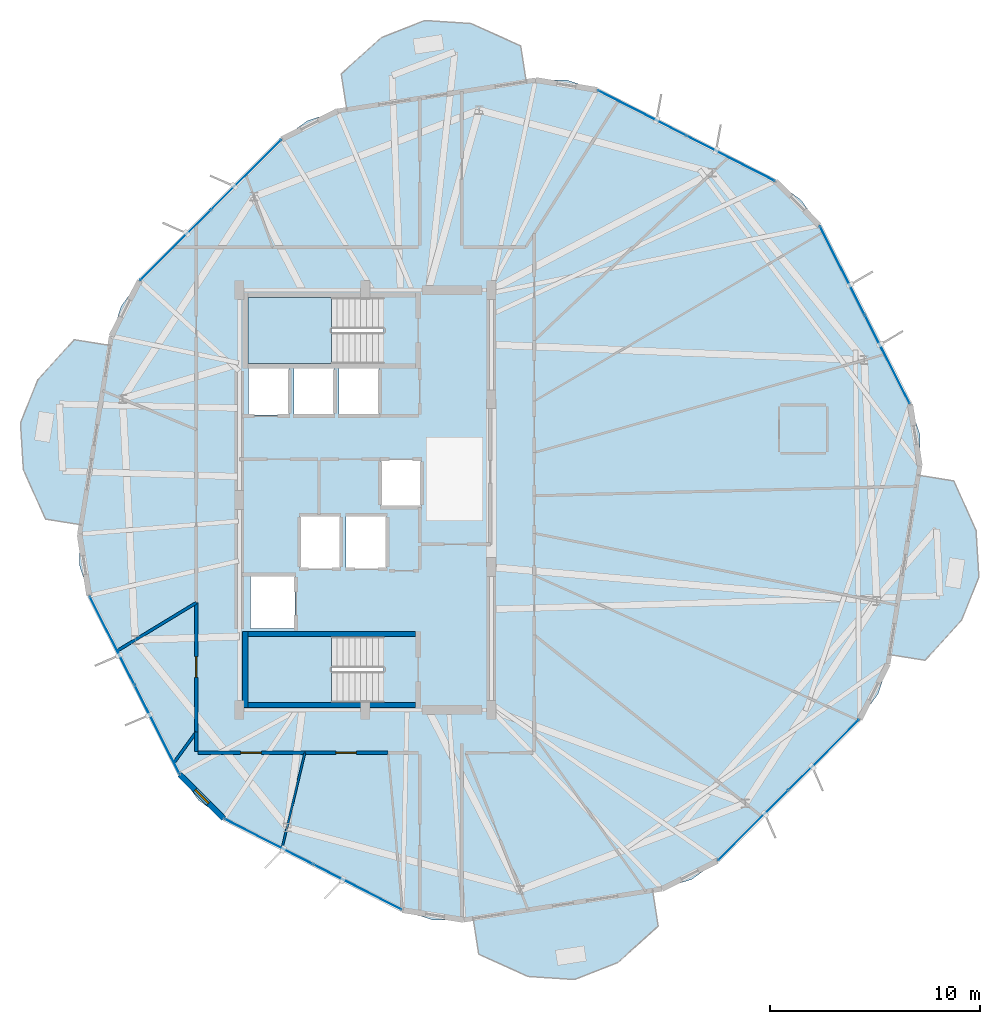
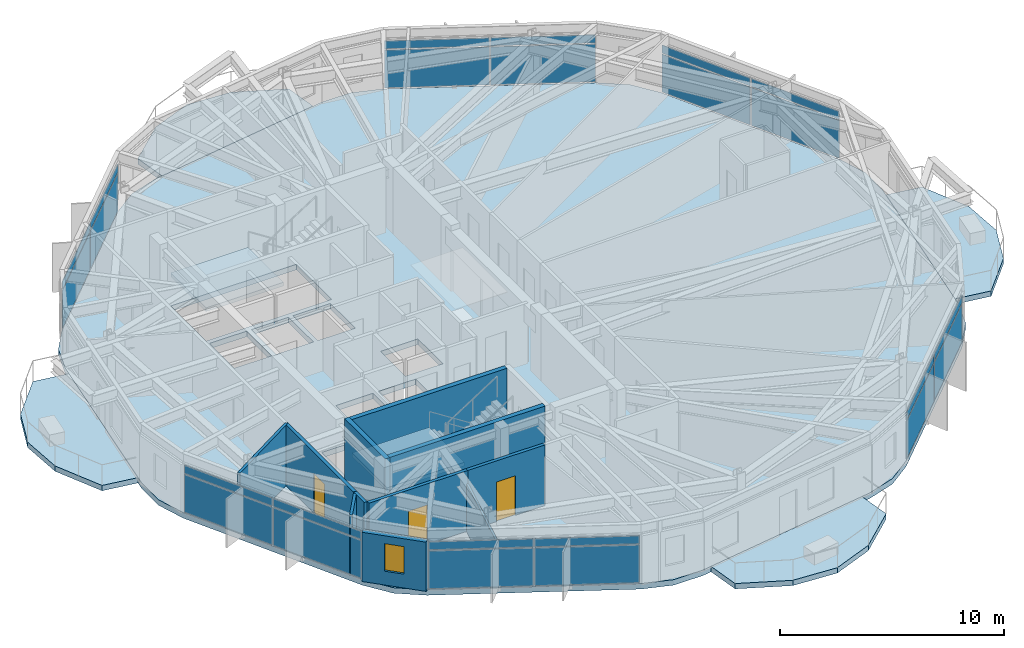
# One storey, part 20 of 27: 24 plates, 11 walls, 7 slabs, 3 doors, 1 window, 4 openings, 8 elements without a shape of their own.
"""IFC4 building model written with IfcOpenShell, lengths in metres."""

from ifc_helpers import new_model, si_unit, direction, frame, frame_2d, origin, origin_2d, place, context, subcontext, project, spatial, polyline, rectangle, outline, extrude, material, layer, layer_set, type_object, element, fill, aggregate, save


model = new_model("IFC4")

# Units and contexts
model_context = context("Model", 3, precision=1e-05, world=origin(), true_north=direction((0.0, 1.0)))
body_context = subcontext(model_context, "Body", "Model", "MODEL_VIEW")
ifc_project = project(units=[si_unit("LENGTHUNIT", "METRE"), si_unit("AREAUNIT", "SQUARE_METRE"), si_unit("VOLUMEUNIT", "CUBIC_METRE"), si_unit("PLANEANGLEUNIT", "RADIAN"), si_unit("MASSUNIT", "GRAM", prefix="KILO")], contexts=[model_context])

# Site, building, storey
site_placement = place(None, origin())
site = spatial("IfcSite", under=ifc_project, at=site_placement, CompositionType="ELEMENT")
building_placement = place(site_placement, origin())
building = spatial("IfcBuilding", under=site, at=building_placement, Name="Soratama Intermodal Tower", CompositionType="ELEMENT")
storey_placement = place(building_placement, frame((0.0, 0.0, 197.800048828125)))
storey = spatial("IfcBuildingStorey", under=building, at=storey_placement, Name="L49", CompositionType="ELEMENT", Elevation=197.800048828125)

# Curtain wall, plates
ifc_material_1 = material(Name="Double-glazed aluminium curtain wall", Category="aluminium")
ifc_layer_1 = layer(ifc_material_1, 0.159912109375)
ifc_layer_set_1 = layer_set([ifc_layer_1], Name="Double-glazed aluminium curtain wall")
curtain_wall_type = type_object("IfcCurtainWallType", Name="CW-SYS-5", PredefinedType="NOTDEFINED", material=ifc_layer_set_1)
curtain_wall_1_placement = place(storey_placement, origin())
curtain_wall_1 = element("IfcCurtainWall", 1, at=curtain_wall_1_placement, inside=storey, type_object=curtain_wall_type, Name="L49 Faceted Curtain Wall F01", PredefinedType="NOTDEFINED")
ifc_material_2 = material(Name="Low-E laminated double glazing", Category="glass")
ifc_layer_2 = layer(ifc_material_2, 0.02001953125)
ifc_layer_set_2 = layer_set([ifc_layer_2], Name="Low-E laminated double glazing")
plate_type = type_object("IfcPlateType", Name="PT-CWP-5", PredefinedType="CURTAIN_PANEL", material=ifc_layer_set_2)
plate_1_placement = place(storey_placement, frame((56.001220703125, 41.27392578125, 0.059814453125), z_axis=(0.0, 0.0, 1.0), x_axis=(-0.890051238283, 0.455860497554, 0.0)))
plate_1 = element("IfcPlate", 2, at=plate_1_placement, type_object=plate_type, Name="CW-5 panel 1.1", PredefinedType="CURTAIN_PANEL", context=body_context, shape_type="SweptSolid", body=[
    extrude(rectangle(XDim=4.686279296875, YDim=0.028076171875, at=origin_2d()), origin(), (0.0, 0.0, 1.0), 2.06005859375),
])
plate_2_placement = place(storey_placement, frame((56.001220703125, 41.27392578125, 2.179931640625), z_axis=(0.0, 0.0, 1.0), x_axis=(-0.890051238283, 0.455860497554, 0.0)))
plate_2 = element("IfcPlate", 3, at=plate_2_placement, type_object=plate_type, Name="CW-5 panel 1.2", PredefinedType="CURTAIN_PANEL", context=body_context, shape_type="SweptSolid", body=[
    extrude(rectangle(XDim=4.686279296875, YDim=0.028076171875, at=origin_2d()), origin(), (0.0, 0.0, 1.0), 0.43896484375),
])
plate_3_placement = place(storey_placement, frame((51.77685546875, 43.4375, 0.059814453125), z_axis=(0.0, 0.0, 1.0), x_axis=(-0.890051238283, 0.455860497554, 0.0)))
plate_3 = element("IfcPlate", 4, at=plate_3_placement, type_object=plate_type, Name="CW-5 panel 2.1", PredefinedType="CURTAIN_PANEL", context=body_context, shape_type="SweptSolid", body=[
    extrude(rectangle(XDim=4.686279296875, YDim=0.028076171875, at=origin_2d()), origin(), (0.0, 0.0, 1.0), 2.06005859375),
])
plate_4_placement = place(storey_placement, frame((51.77685546875, 43.4375, 2.179931640625), z_axis=(0.0, 0.0, 1.0), x_axis=(-0.890051238283, 0.455860497554, 0.0)))
plate_4 = element("IfcPlate", 5, at=plate_4_placement, type_object=plate_type, Name="CW-5 panel 2.2", PredefinedType="CURTAIN_PANEL", context=body_context, shape_type="SweptSolid", body=[
    extrude(rectangle(XDim=4.686279296875, YDim=0.028076171875, at=origin_2d()), origin(), (0.0, 0.0, 1.0), 0.43896484375),
])
aggregate(curtain_wall_1, [plate_1, plate_2, plate_3, plate_4])

curtain_wall_2_placement = place(storey_placement, origin())
curtain_wall_2 = element("IfcCurtainWall", 6, at=curtain_wall_2_placement, inside=storey, type_object=curtain_wall_type, Name="L49 Faceted Curtain Wall F03", PredefinedType="NOTDEFINED")
plate_5_placement = place(storey_placement, frame((32.922119140625, 40.49169921875, 0.059814453125), z_axis=(0.0, 0.0, 1.0), x_axis=(-0.708586555058, -0.705623904067, 0.0)))
plate_5 = element("IfcPlate", 7, at=plate_5_placement, type_object=plate_type, Name="CW-5 panel 1.1", PredefinedType="CURTAIN_PANEL", context=body_context, shape_type="SweptSolid", body=[
    extrude(rectangle(XDim=4.68603515625, YDim=0.028076171875, at=origin_2d()), origin(), (0.0, 0.0, 1.0), 2.06005859375),
])
plate_6_placement = place(storey_placement, frame((32.922119140625, 40.49169921875, 2.179931640625), z_axis=(0.0, 0.0, 1.0), x_axis=(-0.708586555058, -0.705623904067, 0.0)))
plate_6 = element("IfcPlate", 8, at=plate_6_placement, type_object=plate_type, Name="CW-5 panel 1.2", PredefinedType="CURTAIN_PANEL", context=body_context, shape_type="SweptSolid", body=[
    extrude(rectangle(XDim=4.68603515625, YDim=0.028076171875, at=origin_2d()), origin(), (0.0, 0.0, 1.0), 0.43896484375),
])
plate_7_placement = place(storey_placement, frame((29.55908203125, 37.142578125, 0.059814453125), z_axis=(0.0, 0.0, 1.0), x_axis=(-0.708586555058, -0.705623904067, 0.0)))
plate_7 = element("IfcPlate", 9, at=plate_7_placement, type_object=plate_type, Name="CW-5 panel 2.1", PredefinedType="CURTAIN_PANEL", context=body_context, shape_type="SweptSolid", body=[
    extrude(rectangle(XDim=4.68603515625, YDim=0.028076171875, at=origin_2d()), origin(), (0.0, 0.0, 1.0), 2.06005859375),
])
plate_8_placement = place(storey_placement, frame((29.55908203125, 37.142578125, 2.179931640625), z_axis=(0.0, 0.0, 1.0), x_axis=(-0.708586555058, -0.705623904067, 0.0)))
plate_8 = element("IfcPlate", 10, at=plate_8_placement, type_object=plate_type, Name="CW-5 panel 2.2", PredefinedType="CURTAIN_PANEL", context=body_context, shape_type="SweptSolid", body=[
    extrude(rectangle(XDim=4.68603515625, YDim=0.028076171875, at=origin_2d()), origin(), (0.0, 0.0, 1.0), 0.43896484375),
])
aggregate(curtain_wall_2, [plate_5, plate_6, plate_7, plate_8])

curtain_wall_3_placement = place(storey_placement, origin())
curtain_wall_3 = element("IfcCurtainWall", 11, at=curtain_wall_3_placement, inside=storey, type_object=curtain_wall_type, Name="L49 Faceted Curtain Wall F05", PredefinedType="NOTDEFINED")
plate_9_placement = place(storey_placement, frame((26.5341796875, 18.300537109375, 0.059814453125), z_axis=(0.0, 0.0, 1.0), x_axis=(0.452118728027, -0.891957765686, 0.0)))
plate_9 = element("IfcPlate", 12, at=plate_9_placement, type_object=plate_type, Name="CW-5 panel 1.1", PredefinedType="CURTAIN_PANEL", context=body_context, shape_type="SweptSolid", body=[
    extrude(rectangle(XDim=4.686279296875, YDim=0.028076171875, at=origin_2d()), origin(), (0.0, 0.0, 1.0), 2.06005859375),
])
plate_10_placement = place(storey_placement, frame((26.5341796875, 18.300537109375, 2.179931640625), z_axis=(0.0, 0.0, 1.0), x_axis=(0.452118728027, -0.891957765686, 0.0)))
plate_10 = element("IfcPlate", 13, at=plate_10_placement, type_object=plate_type, Name="CW-5 panel 1.2", PredefinedType="CURTAIN_PANEL", context=body_context, shape_type="SweptSolid", body=[
    extrude(rectangle(XDim=4.686279296875, YDim=0.028076171875, at=origin_2d()), origin(), (0.0, 0.0, 1.0), 0.43896484375),
])
plate_11_placement = place(storey_placement, frame((28.68017578125, 14.067138671875, 0.059814453125), z_axis=(0.0, 0.0, 1.0), x_axis=(0.452118728027, -0.891957765686, 0.0)))
plate_11 = element("IfcPlate", 14, at=plate_11_placement, type_object=plate_type, Name="CW-5 panel 2.1", PredefinedType="CURTAIN_PANEL", context=body_context, shape_type="SweptSolid", body=[
    extrude(rectangle(XDim=4.686279296875, YDim=0.028076171875, at=origin_2d()), origin(), (0.0, 0.0, 1.0), 2.06005859375),
])
plate_12_placement = place(storey_placement, frame((28.68017578125, 14.067138671875, 2.179931640625), z_axis=(0.0, 0.0, 1.0), x_axis=(0.452118728027, -0.891957765686, 0.0)))
plate_12 = element("IfcPlate", 15, at=plate_12_placement, type_object=plate_type, Name="CW-5 panel 2.2", PredefinedType="CURTAIN_PANEL", context=body_context, shape_type="SweptSolid", body=[
    extrude(rectangle(XDim=4.686279296875, YDim=0.028076171875, at=origin_2d()), origin(), (0.0, 0.0, 1.0), 0.43896484375),
])
aggregate(curtain_wall_3, [plate_9, plate_10, plate_11, plate_12])

curtain_wall_4_placement = place(storey_placement, origin())
curtain_wall_4 = element("IfcCurtainWall", 16, at=curtain_wall_4_placement, inside=storey, type_object=curtain_wall_type, Name="L49 Faceted Curtain Wall F06", PredefinedType="NOTDEFINED")
plate_13_placement = place(storey_placement, frame((33.998779296875, 8.72607421875, 0.059814453125), z_axis=(0.0, 0.0, 1.0), x_axis=(0.890051238283, -0.455860497554, 0.0)))
plate_13 = element("IfcPlate", 17, at=plate_13_placement, type_object=plate_type, Name="CW-5 panel 1.1", PredefinedType="CURTAIN_PANEL", context=body_context, shape_type="SweptSolid", body=[
    extrude(rectangle(XDim=4.686279296875, YDim=0.028076171875, at=origin_2d()), origin(), (0.0, 0.0, 1.0), 2.06005859375),
])
plate_14_placement = place(storey_placement, frame((33.998779296875, 8.72607421875, 2.179931640625), z_axis=(0.0, 0.0, 1.0), x_axis=(0.890051238283, -0.455860497554, 0.0)))
plate_14 = element("IfcPlate", 18, at=plate_14_placement, type_object=plate_type, Name="CW-5 panel 1.2", PredefinedType="CURTAIN_PANEL", context=body_context, shape_type="SweptSolid", body=[
    extrude(rectangle(XDim=4.686279296875, YDim=0.028076171875, at=origin_2d()), origin(), (0.0, 0.0, 1.0), 0.43896484375),
])
plate_15_placement = place(storey_placement, frame((38.22314453125, 6.5625, 0.059814453125), z_axis=(0.0, 0.0, 1.0), x_axis=(0.890051238283, -0.455860497554, 0.0)))
plate_15 = element("IfcPlate", 19, at=plate_15_placement, type_object=plate_type, Name="CW-5 panel 2.1", PredefinedType="CURTAIN_PANEL", context=body_context, shape_type="SweptSolid", body=[
    extrude(rectangle(XDim=4.686279296875, YDim=0.028076171875, at=origin_2d()), origin(), (0.0, 0.0, 1.0), 2.06005859375),
])
plate_16_placement = place(storey_placement, frame((38.22314453125, 6.5625, 2.179931640625), z_axis=(0.0, 0.0, 1.0), x_axis=(0.890051238283, -0.455860497554, 0.0)))
plate_16 = element("IfcPlate", 20, at=plate_16_placement, type_object=plate_type, Name="CW-5 panel 2.2", PredefinedType="CURTAIN_PANEL", context=body_context, shape_type="SweptSolid", body=[
    extrude(rectangle(XDim=4.686279296875, YDim=0.028076171875, at=origin_2d()), origin(), (0.0, 0.0, 1.0), 0.43896484375),
])
aggregate(curtain_wall_4, [plate_13, plate_14, plate_15, plate_16])

curtain_wall_5_placement = place(storey_placement, origin())
curtain_wall_5 = element("IfcCurtainWall", 21, at=curtain_wall_5_placement, inside=storey, type_object=curtain_wall_type, Name="L49 Faceted Curtain Wall F08", PredefinedType="NOTDEFINED")
plate_17_placement = place(storey_placement, frame((57.077880859375, 9.50830078125, 0.059814453125), z_axis=(0.0, 0.0, 1.0), x_axis=(0.708586555058, 0.705623904067, 0.0)))
plate_17 = element("IfcPlate", 22, at=plate_17_placement, type_object=plate_type, Name="CW-5 panel 1.1", PredefinedType="CURTAIN_PANEL", context=body_context, shape_type="SweptSolid", body=[
    extrude(rectangle(XDim=4.68603515625, YDim=0.028076171875, at=origin_2d()), origin(), (0.0, 0.0, 1.0), 2.06005859375),
])
plate_18_placement = place(storey_placement, frame((57.077880859375, 9.50830078125, 2.179931640625), z_axis=(0.0, 0.0, 1.0), x_axis=(0.708586555058, 0.705623904067, 0.0)))
plate_18 = element("IfcPlate", 23, at=plate_18_placement, type_object=plate_type, Name="CW-5 panel 1.2", PredefinedType="CURTAIN_PANEL", context=body_context, shape_type="SweptSolid", body=[
    extrude(rectangle(XDim=4.68603515625, YDim=0.028076171875, at=origin_2d()), origin(), (0.0, 0.0, 1.0), 0.43896484375),
])
plate_19_placement = place(storey_placement, frame((60.44091796875, 12.857421875, 0.059814453125), z_axis=(0.0, 0.0, 1.0), x_axis=(0.708586555058, 0.705623904067, 0.0)))
plate_19 = element("IfcPlate", 24, at=plate_19_placement, type_object=plate_type, Name="CW-5 panel 2.1", PredefinedType="CURTAIN_PANEL", context=body_context, shape_type="SweptSolid", body=[
    extrude(rectangle(XDim=4.68603515625, YDim=0.028076171875, at=origin_2d()), origin(), (0.0, 0.0, 1.0), 2.06005859375),
])
plate_20_placement = place(storey_placement, frame((60.44091796875, 12.857421875, 2.179931640625), z_axis=(0.0, 0.0, 1.0), x_axis=(0.708586555058, 0.705623904067, 0.0)))
plate_20 = element("IfcPlate", 25, at=plate_20_placement, type_object=plate_type, Name="CW-5 panel 2.2", PredefinedType="CURTAIN_PANEL", context=body_context, shape_type="SweptSolid", body=[
    extrude(rectangle(XDim=4.68603515625, YDim=0.028076171875, at=origin_2d()), origin(), (0.0, 0.0, 1.0), 0.43896484375),
])
aggregate(curtain_wall_5, [plate_17, plate_18, plate_19, plate_20])

curtain_wall_6_placement = place(storey_placement, origin())
curtain_wall_6 = element("IfcCurtainWall", 26, at=curtain_wall_6_placement, inside=storey, type_object=curtain_wall_type, Name="L49 Faceted Curtain Wall F10", PredefinedType="NOTDEFINED")
plate_21_placement = place(storey_placement, frame((63.4658203125, 31.699462890625, 0.059814453125), z_axis=(0.0, 0.0, 1.0), x_axis=(-0.452118728027, 0.891957765686, 0.0)))
plate_21 = element("IfcPlate", 27, at=plate_21_placement, type_object=plate_type, Name="CW-5 panel 1.1", PredefinedType="CURTAIN_PANEL", context=body_context, shape_type="SweptSolid", body=[
    extrude(rectangle(XDim=4.686279296875, YDim=0.028076171875, at=origin_2d()), origin(), (0.0, 0.0, 1.0), 2.06005859375),
])
plate_22_placement = place(storey_placement, frame((63.4658203125, 31.699462890625, 2.179931640625), z_axis=(0.0, 0.0, 1.0), x_axis=(-0.452118728027, 0.891957765686, 0.0)))
plate_22 = element("IfcPlate", 28, at=plate_22_placement, type_object=plate_type, Name="CW-5 panel 1.2", PredefinedType="CURTAIN_PANEL", context=body_context, shape_type="SweptSolid", body=[
    extrude(rectangle(XDim=4.686279296875, YDim=0.028076171875, at=origin_2d()), origin(), (0.0, 0.0, 1.0), 0.43896484375),
])
plate_23_placement = place(storey_placement, frame((61.31982421875, 35.932861328125, 0.059814453125), z_axis=(0.0, 0.0, 1.0), x_axis=(-0.452118728027, 0.891957765686, 0.0)))
plate_23 = element("IfcPlate", 29, at=plate_23_placement, type_object=plate_type, Name="CW-5 panel 2.1", PredefinedType="CURTAIN_PANEL", context=body_context, shape_type="SweptSolid", body=[
    extrude(rectangle(XDim=4.686279296875, YDim=0.028076171875, at=origin_2d()), origin(), (0.0, 0.0, 1.0), 2.06005859375),
])
plate_24_placement = place(storey_placement, frame((61.31982421875, 35.932861328125, 2.179931640625), z_axis=(0.0, 0.0, 1.0), x_axis=(-0.452118728027, 0.891957765686, 0.0)))
plate_24 = element("IfcPlate", 30, at=plate_24_placement, type_object=plate_type, Name="CW-5 panel 2.2", PredefinedType="CURTAIN_PANEL", context=body_context, shape_type="SweptSolid", body=[
    extrude(rectangle(XDim=4.686279296875, YDim=0.028076171875, at=origin_2d()), origin(), (0.0, 0.0, 1.0), 0.43896484375),
])
aggregate(curtain_wall_6, [plate_21, plate_22, plate_23, plate_24])

# Slabs
ifc_material_3 = material(Name="Concrete f'c 42 MPa", Category="concrete")
ifc_layer_3 = layer(ifc_material_3, 0.2900390625)
ifc_layer_set_3 = layer_set([ifc_layer_3], Name="Concrete f'c 42 MPa")
slab_type_1 = type_object("IfcSlabType", Name="SL-EXT-BAL2", PredefinedType="FLOOR", material=ifc_layer_set_3)
slab_1_placement = place(storey_placement, frame((0.0, 0.0, -0.2900390625)))
element("IfcSlab", 31, at=slab_1_placement, inside=storey, type_object=slab_type_1, Name="L49 Planted Balcony East 1", PredefinedType="FLOOR", context=body_context, shape_type="SweptSolid", body=[
    extrude(outline(polyline([(63.5673828125, 17.6376953125), (64.938720703125, 26.180908203125), (66.636962890625, 25.908203125), (67.69140625, 23.548095703125), (67.827392578125, 21.33544921875), (67.005859375, 19.276611328125), (65.265625, 17.364990234375), (63.5673828125, 17.6376953125)])), origin(), (0.0, 0.0, 1.0), 0.2900390625),
])
slab_2_placement = place(storey_placement, frame((0.0, 0.0, -0.2900390625)))
element("IfcSlab", 32, at=slab_2_placement, inside=storey, type_object=slab_type_1, Name="L49 Planted Balcony North 2", PredefinedType="FLOOR", context=body_context, shape_type="SweptSolid", body=[
    extrude(outline(polyline([(46.264404296875, 44.93359375), (37.715576171875, 43.59814453125), (37.4501953125, 45.29736328125), (39.368896484375, 47.029541015625), (41.43115234375, 47.842529296875), (43.64306640625, 47.697509765625), (45.998779296875, 46.633056640625), (46.264404296875, 44.93359375)])), origin(), (0.0, 0.0, 1.0), 0.2900390625),
])
slab_3_placement = place(storey_placement, frame((0.0, 0.0, -0.2900390625)))
element("IfcSlab", 33, at=slab_3_placement, inside=storey, type_object=slab_type_1, Name="L49 Planted Balcony West 3", PredefinedType="FLOOR", context=body_context, shape_type="SweptSolid", body=[
    extrude(outline(polyline([(26.4326171875, 32.3623046875), (25.061279296875, 23.819091796875), (23.363037109375, 24.091796875), (22.30859375, 26.451904296875), (22.172607421875, 28.66455078125), (22.994140625, 30.723388671875), (24.734375, 32.635009765625), (26.4326171875, 32.3623046875)])), origin(), (0.0, 0.0, 1.0), 0.2900390625),
])
slab_4_placement = place(storey_placement, frame((0.0, 0.0, -0.2900390625)))
element("IfcSlab", 34, at=slab_4_placement, inside=storey, type_object=slab_type_1, Name="L49 Planted Balcony South 4", PredefinedType="FLOOR", context=body_context, shape_type="SweptSolid", body=[
    extrude(outline(polyline([(43.735595703125, 5.06640625), (52.284423828125, 6.40185546875), (52.5498046875, 4.70263671875), (50.631103515625, 2.970458984375), (48.56884765625, 2.157470703125), (46.35693359375, 2.302490234375), (44.001220703125, 3.366943359375), (43.735595703125, 5.06640625)])), origin(), (0.0, 0.0, 1.0), 0.2900390625),
])

# Stair, slab
ifc_material_4 = material(Name="Concrete f'c 42 MPa", Category="concrete")
stair_type = type_object("IfcStairType", Name="ST-CORE-DOGLEG", PredefinedType="HALF_TURN_STAIR", material=ifc_material_4)
stair_1_placement = place(storey_placement, origin())
stair_1 = element("IfcStair", 35, at=stair_1_placement, inside=storey, type_object=stair_type, Name="L49 ST-1", PredefinedType="HALF_TURN_STAIR")
ifc_material_5 = material(Name="Concrete f'c 42 MPa", Category="concrete")
ifc_layer_4 = layer(ifc_material_5, 0.219970703125)
ifc_layer_set_4 = layer_set([ifc_layer_4], Name="Concrete f'c 42 MPa")
slab_type_2 = type_object("IfcSlabType", Name="SL-STAIR-LAND", PredefinedType="LANDING", material=ifc_layer_set_4)
slab_5_placement = place(storey_placement, frame((0.0, 0.0, 1.599853515625)))
slab_5 = element("IfcSlab", 36, at=slab_5_placement, type_object=slab_type_2, Name="ST-1 landing 1", PredefinedType="LANDING", context=body_context, shape_type="SweptSolid", body=[
    extrude(outline(polyline([(36.97998046875, 18.5), (33.0, 18.5), (33.0, 15.35009765625), (36.97998046875, 15.35009765625), (36.97998046875, 18.5)])), origin(), (0.0, 0.0, 1.0), 0.2001953125),
])
aggregate(stair_1, [slab_5])

stair_2_placement = place(storey_placement, origin())
stair_2 = element("IfcStair", 37, at=stair_2_placement, inside=storey, type_object=stair_type, Name="L49 ST-2", PredefinedType="HALF_TURN_STAIR")
slab_6_placement = place(storey_placement, frame((0.0, 0.0, 1.599853515625)))
slab_6 = element("IfcSlab", 38, at=slab_6_placement, type_object=slab_type_2, Name="ST-2 landing 1", PredefinedType="LANDING", context=body_context, shape_type="SweptSolid", body=[
    extrude(outline(polyline([(36.97998046875, 34.64990234375), (33.0, 34.64990234375), (33.0, 31.5), (36.97998046875, 31.5), (36.97998046875, 34.64990234375)])), origin(), (0.0, 0.0, 1.0), 0.2001953125),
])
aggregate(stair_2, [slab_6])

# Slab
ifc_material_6 = material(Name="Concrete f'c 42 MPa", Category="concrete")
ifc_layer_5 = layer(ifc_material_6, 0.280029296875)
ifc_layer_set_5 = layer_set([ifc_layer_5], Name="Concrete f'c 42 MPa")
slab_type_3 = type_object("IfcSlabType", Name="SL-TWR-280", PredefinedType="FLOOR", material=ifc_layer_set_5)
slab_7_placement = place(storey_placement, frame((0.0, 0.0, -0.300048828125)))
element("IfcSlab", 39, at=slab_7_placement, inside=storey, type_object=slab_type_3, Name="L49 Structural Floor Slab", PredefinedType="FLOOR", context=body_context, shape_type="SweptSolid", body=[
    extrude(outline(polyline([(60.2333984375, 38.076416015625), (59.353271484375, 39.293212890625), (58.14013671875, 40.178466796875), (49.637939453125, 44.532958984375), (48.210693359375, 45.0), (46.708984375, 45.003173828125), (37.27099609375, 43.528564453125), (35.841796875, 43.0673828125), (34.625, 42.187255859375), (27.856201171875, 35.447021484375), (26.970947265625, 34.23388671875), (26.50390625, 32.806640625), (24.989990234375, 23.375), (24.98681640625, 21.873291015625), (25.44775390625, 20.44384765625), (29.7666015625, 11.923583984375), (30.646728515625, 10.706787109375), (31.85986328125, 9.821533203125), (40.362060546875, 5.467041015625), (41.789306640625, 5.0), (43.291015625, 4.996826171875), (52.72900390625, 6.471435546875), (54.158203125, 6.9326171875), (55.375, 7.812744140625), (62.143798828125, 14.552978515625), (63.029052734375, 15.76611328125), (63.49609375, 17.193359375), (65.010009765625, 26.625), (65.01318359375, 28.126708984375), (64.55224609375, 29.55615234375), (60.2333984375, 38.076416015625)]), holes=[polyline([(33.0, 18.5), (33.0, 15.35009765625), (39.47509765625, 15.35009765625), (39.47509765625, 18.5), (33.0, 18.5)]), polyline([(35.260009765625, 21.409912109375), (33.139892578125, 21.409912109375), (33.139892578125, 18.889892578125), (35.260009765625, 18.889892578125), (35.260009765625, 21.409912109375)]), polyline([(37.409912109375, 24.260009765625), (35.489990234375, 24.260009765625), (35.489990234375, 21.739990234375), (37.409912109375, 21.739990234375), (37.409912109375, 24.260009765625)]), polyline([(39.610107421875, 24.260009765625), (37.68994140625, 24.260009765625), (37.68994140625, 21.739990234375), (39.610107421875, 21.739990234375), (39.610107421875, 24.260009765625)]), polyline([(41.260009765625, 26.909912109375), (39.340087890625, 26.909912109375), (39.340087890625, 24.68994140625), (41.260009765625, 24.68994140625), (41.260009765625, 26.909912109375)]), polyline([(34.9599609375, 31.260009765625), (33.0400390625, 31.260009765625), (33.0400390625, 29.0400390625), (34.9599609375, 29.0400390625), (34.9599609375, 31.260009765625)]), polyline([(37.110107421875, 31.260009765625), (35.18994140625, 31.260009765625), (35.18994140625, 29.0400390625), (37.110107421875, 29.0400390625), (37.110107421875, 31.260009765625)]), polyline([(39.260009765625, 29.0400390625), (39.260009765625, 31.260009765625), (37.340087890625, 31.260009765625), (37.340087890625, 29.0400390625), (39.260009765625, 29.0400390625)]), polyline([(39.47509765625, 34.64990234375), (33.0, 34.64990234375), (33.0, 31.5), (39.47509765625, 31.5), (39.47509765625, 34.64990234375)])]), origin(), (0.0, 0.0, 1.0), 0.300048828125),
])

# Wall, opening, window
ifc_material_7 = material(Name="Concrete f'c 42 MPa", Category="concrete")
ifc_layer_6 = layer(ifc_material_7, 0.27001953125)
ifc_layer_set_6 = layer_set([ifc_layer_6], Name="Concrete f'c 42 MPa")
wall_type_1 = type_object("IfcWallType", Name="EW-CRN-270", PredefinedType="SOLIDWALL", material=ifc_layer_set_6)
wall_1_placement = place(storey_placement, frame((29.7666015625, 11.923583984375, 0.0), z_axis=(0.0, 0.0, 1.0), x_axis=(0.705623863774, -0.708586595183, 0.0)))
wall_1 = element("IfcWall", 40, at=wall_1_placement, inside=storey, type_object=wall_type_1, Name="L49 Corner Closure Wall 05", PredefinedType="SOLIDWALL", context=body_context, shape_type="SweptSolid", body=[
    extrude(rectangle(XDim=2.966552734375, YDim=0.27001953125, at=frame_2d((1.4833984375, 0.0))), origin(), (0.0, 0.0, 1.0), 2.678955078125),
])
opening_1_placement = place(wall_1_placement, frame((1.033203125, 0.0, 0.75)))
opening_1 = element("IfcOpeningElement", 41, at=opening_1_placement, cuts=wall_1, Name="Opening WN-6", PredefinedType="OPENING", context=body_context, shape_type="SweptSolid", body=[
    extrude(rectangle(XDim=0.89990234375, YDim=1.5, at=frame_2d((0.449951171875, 0.75))), frame((0.0, 0.14501953125, 0.0), z_axis=(0.0, -1.0, 0.0), x_axis=(1.0, 0.0, 0.0)), (0.0, 0.0, 1.0), 0.2900390625),
])
ifc_material_8 = material(Name="Double-glazed aluminium window", Category="aluminium")
window_type = type_object("IfcWindowType", Name="WN-FAC-900", PartitioningType="SINGLE_PANEL", PredefinedType="WINDOW", material=ifc_material_8)
window_placement = place(opening_1_placement, origin())
window = element("IfcWindow", 42, at=window_placement, inside=storey, type_object=window_type, Name="L49 Corner Window 05", OverallHeight=1.5, OverallWidth=0.89990234375, PartitioningType="SINGLE_PANEL", PredefinedType="WINDOW", context=body_context, shape_type="SweptSolid", body=[
    extrude(rectangle(XDim=0.89990234375, YDim=1.5, at=frame_2d((0.449951171875, 0.75))), frame((0.0, 0.030029296875, 0.0), z_axis=(0.0, -1.0, 0.0), x_axis=(1.0, 0.0, 0.0)), (0.0, 0.0, 1.0), 0.06005859375),
])
fill(opening_1, window)

# Wall, opening, door
ifc_material_9 = material(Name="Fire-rated gypsum stud partition", Category="concrete")
ifc_layer_7 = layer(ifc_material_9, 0.169921875)
ifc_layer_set_7 = layer_set([ifc_layer_7], Name="Fire-rated gypsum stud partition")
wall_type_2 = type_object("IfcWallType", Name="IW-PART-R170", PredefinedType="PARTITIONING", material=ifc_layer_set_7)
wall_2_placement = place(storey_placement, frame((30.550048828125, 13.950927734375, 0.0), z_axis=(0.0, 0.0, 1.0), x_axis=(0.0, 1.0, 0.0)))
wall_2 = element("IfcWall", 43, at=wall_2_placement, inside=storey, type_object=wall_type_2, Name="L49 Partition W-L49-TP019", PredefinedType="PARTITIONING", context=body_context, shape_type="SweptSolid", body=[
    extrude(rectangle(XDim=6.155029296875, YDim=0.169921875, at=frame_2d((3.07763671875, 0.0))), origin(), (0.0, 0.0, 1.0), 3.300048828125),
])
opening_2_placement = place(wall_2_placement, frame((2.60302734375, 0.0, 0.0)))
opening_2 = element("IfcOpeningElement", 44, at=opening_2_placement, cuts=wall_2, Name="Opening ID-5", PredefinedType="OPENING", context=body_context, shape_type="SweptSolid", body=[
    extrude(rectangle(XDim=0.97998046875, YDim=2.14990234375, at=frame_2d((0.489990234375, 1.074951171875))), frame((0.0, 0.094970703125, 0.0), z_axis=(0.0, -1.0, 0.0), x_axis=(1.0, 0.0, 0.0)), (0.0, 0.0, 1.0), 0.18994140625),
])
ifc_material_10 = material(Name="Solid hardwood acoustic door", Category="wood")
door_type = type_object("IfcDoorType", Name="DR-OFF-980", OperationType="NOTDEFINED", PredefinedType="DOOR", material=ifc_material_10)
door_1_placement = place(opening_2_placement, origin())
door_1 = element("IfcDoor", 45, at=door_1_placement, inside=storey, type_object=door_type, Name="L49 Door D-L49-TP007", OperationType="SINGLE_SWING_RIGHT", OverallHeight=2.14990234375, OverallWidth=0.97998046875, PredefinedType="DOOR", context=body_context, shape_type="SweptSolid", body=[
    extrude(rectangle(XDim=0.97998046875, YDim=2.14990234375, at=frame_2d((0.489990234375, 1.074951171875))), frame((0.0, 0.02490234375, 0.0), z_axis=(0.0, -1.0, 0.0), x_axis=(1.0, 0.0, 0.0)), (0.0, 0.0, 1.0), 0.050048828125),
])
fill(opening_2, door_1)

wall_3_placement = place(storey_placement, frame((35.718994140625, 12.949951171875, 0.0), z_axis=(0.0, 0.0, 1.0), x_axis=(-1.0, 0.0, 0.0)))
wall_3 = element("IfcWall", 46, at=wall_3_placement, inside=storey, type_object=wall_type_2, Name="L49 Partition W-L49-TP020", PredefinedType="PARTITIONING", context=body_context, shape_type="SweptSolid", body=[
    extrude(rectangle(XDim=5.098876953125, YDim=0.169921875, at=frame_2d((2.54931640625, 0.0))), origin(), (0.0, 0.0, 1.0), 3.300048828125),
])
opening_3_placement = place(wall_3_placement, frame((2.074951171875, 0.0, 0.0)))
opening_3 = element("IfcOpeningElement", 47, at=opening_3_placement, cuts=wall_3, Name="Opening ID-5", PredefinedType="OPENING", context=body_context, shape_type="SweptSolid", body=[
    extrude(rectangle(XDim=0.97998046875, YDim=2.14990234375, at=frame_2d((0.489990234375, 1.074951171875))), frame((0.0, 0.094970703125, 0.0), z_axis=(0.0, -1.0, 0.0), x_axis=(1.0, 0.0, 0.0)), (0.0, 0.0, 1.0), 0.18994140625),
])
door_2_placement = place(opening_3_placement, origin())
door_2 = element("IfcDoor", 48, at=door_2_placement, inside=storey, type_object=door_type, Name="L49 Door D-L49-TP008", OperationType="SINGLE_SWING_LEFT", OverallHeight=2.14990234375, OverallWidth=0.97998046875, PredefinedType="DOOR", context=body_context, shape_type="SweptSolid", body=[
    extrude(rectangle(XDim=0.97998046875, YDim=2.14990234375, at=frame_2d((0.489990234375, 1.074951171875))), frame((0.0, 0.02490234375, 0.0), z_axis=(0.0, -1.0, 0.0), x_axis=(1.0, 0.0, 0.0)), (0.0, 0.0, 1.0), 0.050048828125),
])
fill(opening_3, door_2)

wall_4_placement = place(storey_placement, frame((39.68701171875, 12.949951171875, 0.0), z_axis=(0.0, 0.0, 1.0), x_axis=(-1.0, 0.0, 0.0)))
wall_4 = element("IfcWall", 49, at=wall_4_placement, inside=storey, type_object=wall_type_2, Name="L49 Partition W-L49-TP027", PredefinedType="PARTITIONING", context=body_context, shape_type="SweptSolid", body=[
    extrude(rectangle(XDim=3.968017578125, YDim=0.169921875, at=frame_2d((1.98388671875, 0.0))), origin(), (0.0, 0.0, 1.0), 3.300048828125),
])
opening_4_placement = place(wall_4_placement, frame((1.509033203125, 0.0, 0.0)))
opening_4 = element("IfcOpeningElement", 50, at=opening_4_placement, cuts=wall_4, Name="Opening ID-5", PredefinedType="OPENING", context=body_context, shape_type="SweptSolid", body=[
    extrude(rectangle(XDim=0.97998046875, YDim=2.14990234375, at=frame_2d((0.489990234375, 1.074951171875))), frame((0.0, 0.094970703125, 0.0), z_axis=(0.0, -1.0, 0.0), x_axis=(1.0, 0.0, 0.0)), (0.0, 0.0, 1.0), 0.18994140625),
])
door_3_placement = place(opening_4_placement, origin())
door_3 = element("IfcDoor", 51, at=door_3_placement, inside=storey, type_object=door_type, Name="L49 Door D-L49-TP011", OperationType="SINGLE_SWING_RIGHT", OverallHeight=2.14990234375, OverallWidth=0.97998046875, PredefinedType="DOOR", context=body_context, shape_type="SweptSolid", body=[
    extrude(rectangle(XDim=0.97998046875, YDim=2.14990234375, at=frame_2d((0.489990234375, 1.074951171875))), frame((0.0, 0.02490234375, 0.0), z_axis=(0.0, -1.0, 0.0), x_axis=(1.0, 0.0, 0.0)), (0.0, 0.0, 1.0), 0.050048828125),
])
fill(opening_4, door_3)

# Walls
wall_5_placement = place(storey_placement, frame((30.550048828125, 13.02001953125, 0.0), z_axis=(0.0, 0.0, 1.0), x_axis=(0.0, 1.0, 0.0)))
element("IfcWall", 52, at=wall_5_placement, inside=storey, type_object=wall_type_2, Name="L49 Partition W-L49-TP052", PredefinedType="PARTITIONING", context=body_context, shape_type="SweptSolid", body=[
    extrude(rectangle(XDim=0.930908203125, YDim=0.169921875, at=frame_2d((0.46533203125, 0.0))), origin(), (0.0, 0.0, 1.0), 3.300048828125),
])
ifc_material_11 = material(Name="Fire-rated gypsum stud partition", Category="concrete")
ifc_layer_8 = layer(ifc_material_11, 0.10009765625)
ifc_layer_set_8 = layer_set([ifc_layer_8], Name="Fire-rated gypsum stud partition")
wall_type_3 = type_object("IfcWallType", Name="IW-PART-S100", PredefinedType="PARTITIONING", material=ifc_layer_set_8)
wall_6_placement = place(storey_placement, frame((35.718994140625, 12.949951171875, 0.0), z_axis=(0.0, 0.0, 1.0), x_axis=(-0.232646217393, -0.972561431239, 0.0)))
element("IfcWall", 53, at=wall_6_placement, inside=storey, type_object=wall_type_3, Name="L49 Partition W-L49-TP025", PredefinedType="PARTITIONING", context=body_context, shape_type="SweptSolid", body=[
    extrude(rectangle(XDim=4.67626953125, YDim=0.10009765625, at=frame_2d((2.338134765625, 0.0))), origin(), (0.0, 0.0, 1.0), 2.594970703125),
])
ifc_material_12 = material(Name="Fire-rated gypsum stud partition", Category="concrete")
ifc_layer_9 = layer(ifc_material_12, 0.139892578125)
ifc_layer_set_9 = layer_set([ifc_layer_9], Name="Fire-rated gypsum stud partition")
wall_type_4 = type_object("IfcWallType", Name="IW-PART-S140", PredefinedType="PARTITIONING", material=ifc_layer_set_9)
wall_7_placement = place(storey_placement, frame((30.550048828125, 20.10595703125, 0.0), z_axis=(0.0, 0.0, 1.0), x_axis=(-0.854578769062, -0.519321795679, 0.0)))
element("IfcWall", 54, at=wall_7_placement, inside=storey, type_object=wall_type_4, Name="L49 Partition W-L49-TP026", PredefinedType="PARTITIONING", context=body_context, shape_type="SweptSolid", body=[
    extrude(rectangle(XDim=4.41162109375, YDim=0.139892578125, at=frame_2d((2.205810546875, 0.0))), origin(), (0.0, 0.0, 1.0), 3.300048828125),
])
wall_8_placement = place(storey_placement, frame((30.550048828125, 13.950927734375, 0.0), z_axis=(0.0, 0.0, 1.0), x_axis=(-0.588915801742, -0.808194393979, 0.0)))
element("IfcWall", 55, at=wall_8_placement, inside=storey, type_object=wall_type_4, Name="L49 Partition W-L49-TP046", PredefinedType="PARTITIONING", context=body_context, shape_type="SweptSolid", body=[
    extrude(rectangle(XDim=1.813720703125, YDim=0.139892578125, at=frame_2d((0.90673828125, 0.0))), origin(), (0.0, 0.0, 1.0), 3.300048828125),
])
ifc_material_13 = material(Name="Concrete f'c 56 MPa", Category="concrete")
ifc_layer_10 = layer(ifc_material_13, 0.239990234375)
ifc_layer_set_10 = layer_set([ifc_layer_10], Name="Concrete f'c 56 MPa")
wall_type_5 = type_object("IfcWallType", Name="SW-STAIR-240", PredefinedType="SHEAR", material=ifc_layer_set_10)
wall_9_placement = place(storey_placement, frame((32.8798828125, 15.110107421875, 0.0), z_axis=(0.0, 0.0, 1.0), x_axis=(0.0, 1.0, 0.0)))
element("IfcWall", 56, at=wall_9_placement, inside=storey, type_object=wall_type_5, Name="L49 ST-1 Shaft Shear Wall W", PredefinedType="SHEAR", context=body_context, shape_type="SweptSolid", body=[
    extrude(rectangle(XDim=3.6298828125, YDim=0.239990234375, at=frame_2d((1.81494140625, 0.0))), origin(), (0.0, 0.0, 1.0), 3.599853515625),
])
for number, where, z_axis, x_axis, name in (
    (57, (33.0, 15.22998046875, 0.0), (0.0, 0.0, 1.0), (1.0, 0.0, 0.0), "L49 ST-1 Shaft Shear Wall S"),
    (58, (33.0, 18.6201171875, 0.0), (0.0, 0.0, 1.0), (1.0, 0.0, 0.0), "L49 ST-1 Shaft Shear Wall N"),
):
    element("IfcWall", number, at=place(storey_placement, frame(where, z_axis=z_axis, x_axis=x_axis)), inside=storey, type_object=wall_type_5, Name=name, PredefinedType="SHEAR", context=body_context, shape_type="SweptSolid", body=[
        extrude(rectangle(XDim=8.0, YDim=0.239990234375, at=frame_2d((4.0, 0.0))), origin(), (0.0, 0.0, 1.0), 3.599853515625),
    ])

save(model, "model.ifc")
